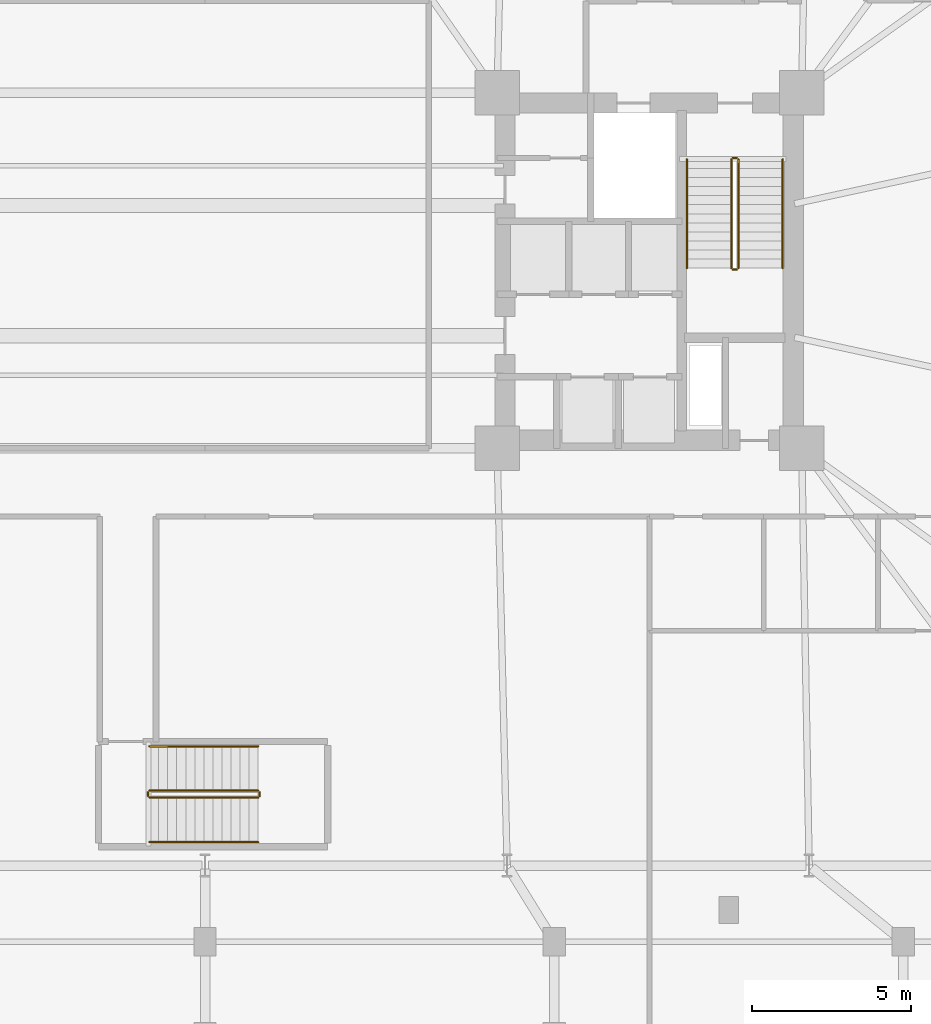
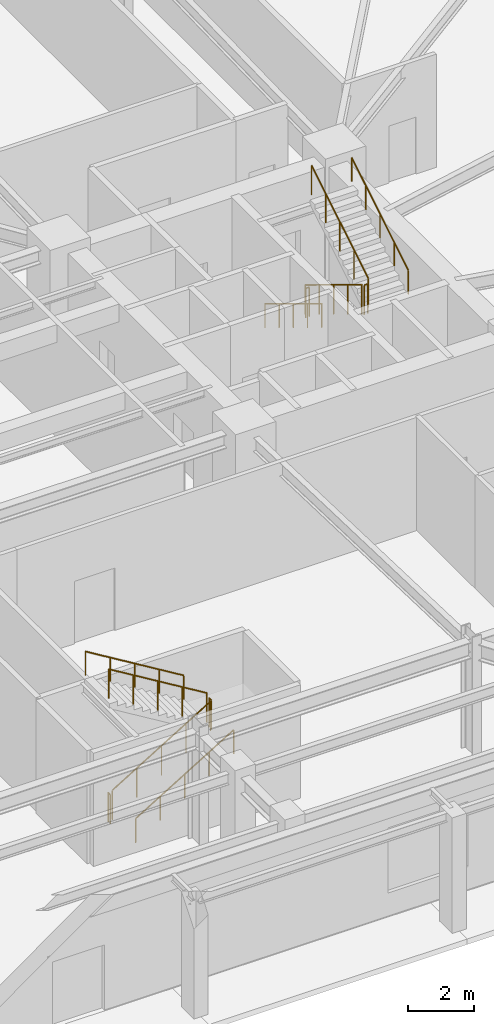
# One storey, part 16 of 18: 12 railings.
"""IFC4 building model written with IfcOpenShell, lengths in metres."""

from ifc_helpers import new_model, si_unit, direction, frame, origin, origin_2d, place, context, subcontext, project, spatial, circle, extrude, material, type_object, element, save


model = new_model("IFC4")

# Units and contexts
model_context = context("Model", 3, precision=1e-05, world=origin(), true_north=direction((0.0, 1.0)))
body_context = subcontext(model_context, "Body", "Model", "MODEL_VIEW")
ifc_project = project(units=[si_unit("LENGTHUNIT", "METRE"), si_unit("AREAUNIT", "SQUARE_METRE"), si_unit("VOLUMEUNIT", "CUBIC_METRE"), si_unit("PLANEANGLEUNIT", "RADIAN"), si_unit("MASSUNIT", "GRAM", prefix="KILO")], contexts=[model_context])

# Site, building, storey
site_placement = place(None, origin())
site = spatial("IfcSite", under=ifc_project, at=site_placement, CompositionType="ELEMENT")
building_placement = place(site_placement, origin())
building = spatial("IfcBuilding", under=site, at=building_placement, Name="Qobustan Lattice House", CompositionType="ELEMENT")
storey_placement = place(building_placement, origin())
storey = spatial("IfcBuildingStorey", under=building, at=storey_placement, Name="L00", CompositionType="ELEMENT", Elevation=0.0)

# Railings
ifc_material_1 = material(Name="Brushed stainless steel handrail", Category="steel")
railing_type_1 = type_object("IfcRailingType", Name="RAL-HR-920", PredefinedType="HANDRAIL", material=ifc_material_1)
railing_1_placement = place(storey_placement, frame((15.179931640625, 3.5, 0.173095703125)))
element("IfcRailing", 1, at=railing_1_placement, inside=storey, type_object=railing_type_1, Name="L00 ST-E1 stair handrail 1", PredefinedType="HANDRAIL", context=body_context, shape_type="SweptSolid", body=[
    extrude(circle(Radius=0.02392578125, at=origin_2d()), frame((0.0, 0.0, 0.8759765625), z_axis=(0.0, -0.854729506542, 0.519073665916), x_axis=(1.0, 0.0, 0.0)), (0.0, 0.0, 1.0), 4.001220703125),
    extrude(circle(Radius=0.02099609375, at=origin_2d()), origin(), (0.0, 0.0, 1.0), 0.851806640625),
    extrude(circle(Radius=0.02099609375, at=origin_2d()), frame((0.0, -0.85498046875, 0.519287109375)), (0.0, 0.0, 1.0), 0.851806640625),
    extrude(circle(Radius=0.02099609375, at=origin_2d()), frame((0.0, -1.7099609375, 1.03857421875)), (0.0, 0.0, 1.0), 0.851806640625),
    extrude(circle(Radius=0.02099609375, at=origin_2d()), frame((0.0, -2.56494140625, 1.5576171875)), (0.0, 0.0, 1.0), 0.851806640625),
    extrude(circle(Radius=0.02099609375, at=origin_2d()), frame((0.0, -3.419921875, 2.076904296875)), (0.0, 0.0, 1.0), 0.851806640625),
])
railing_2_placement = place(storey_placement, frame((18.199951171875, 0.080078125, 2.423095703125)))
element("IfcRailing", 2, at=railing_2_placement, inside=storey, type_object=railing_type_1, Name="L00 ST-E1 stair handrail 2", PredefinedType="HANDRAIL", context=body_context, shape_type="SweptSolid", body=[
    extrude(circle(Radius=0.02392578125, at=origin_2d()), frame((0.0, 0.0, 0.8759765625), z_axis=(0.0, 0.854729506542, 0.519073665916), x_axis=(-1.0, 0.0, 0.0)), (0.0, 0.0, 1.0), 4.001220703125),
    extrude(circle(Radius=0.02099609375, at=origin_2d()), origin(), (0.0, 0.0, 1.0), 0.851806640625),
    extrude(circle(Radius=0.02099609375, at=origin_2d()), frame((0.0, 0.85498046875, 0.519287109375)), (0.0, 0.0, 1.0), 0.851806640625),
    extrude(circle(Radius=0.02099609375, at=origin_2d()), frame((0.0, 1.7099609375, 1.03857421875)), (0.0, 0.0, 1.0), 0.851806640625),
    extrude(circle(Radius=0.02099609375, at=origin_2d()), frame((0.0, 2.56494140625, 1.5576171875)), (0.0, 0.0, 1.0), 0.851806640625),
    extrude(circle(Radius=0.02099609375, at=origin_2d()), frame((0.0, 3.419921875, 2.076904296875)), (0.0, 0.0, 1.0), 0.851806640625),
])
railing_3_placement = place(storey_placement, frame((-1.75, -18.010009765625, 0.173095703125)))
element("IfcRailing", 3, at=railing_3_placement, inside=storey, type_object=railing_type_1, Name="L00 ST-P1 stair handrail 1", PredefinedType="HANDRAIL", context=body_context, shape_type="SweptSolid", body=[
    extrude(circle(Radius=0.02392578125, at=origin_2d()), frame((0.0, 0.0, 0.8759765625), z_axis=(0.854729506542, 0.0, 0.519073665916), x_axis=(0.0, 1.0, 0.0)), (0.0, 0.0, 1.0), 4.001220703125),
    extrude(circle(Radius=0.02099609375, at=origin_2d()), origin(), (0.0, 0.0, 1.0), 0.851806640625),
    extrude(circle(Radius=0.02099609375, at=origin_2d()), frame((0.85498046875, 0.0, 0.519287109375)), (0.0, 0.0, 1.0), 0.851806640625),
    extrude(circle(Radius=0.02099609375, at=origin_2d()), frame((1.7099609375, 0.0, 1.03857421875)), (0.0, 0.0, 1.0), 0.851806640625),
    extrude(circle(Radius=0.02099609375, at=origin_2d()), frame((2.56494140625, 0.0, 1.5576171875)), (0.0, 0.0, 1.0), 0.851806640625),
    extrude(circle(Radius=0.02099609375, at=origin_2d()), frame((3.419921875, 0.0, 2.076904296875)), (0.0, 0.0, 1.0), 0.851806640625),
])
railing_4_placement = place(storey_placement, frame((1.669921875, -14.989990234375, 2.423095703125)))
element("IfcRailing", 4, at=railing_4_placement, inside=storey, type_object=railing_type_1, Name="L00 ST-P1 stair handrail 2", PredefinedType="HANDRAIL", context=body_context, shape_type="SweptSolid", body=[
    extrude(circle(Radius=0.02392578125, at=origin_2d()), frame((0.0, 0.0, 0.8759765625), z_axis=(-0.854729506542, 0.0, 0.519073665916), x_axis=(0.0, -1.0, 0.0)), (0.0, 0.0, 1.0), 4.001220703125),
    extrude(circle(Radius=0.02099609375, at=origin_2d()), origin(), (0.0, 0.0, 1.0), 0.851806640625),
    extrude(circle(Radius=0.02099609375, at=origin_2d()), frame((-0.85498046875, 0.0, 0.519287109375)), (0.0, 0.0, 1.0), 0.851806640625),
    extrude(circle(Radius=0.02099609375, at=origin_2d()), frame((-1.7099609375, 0.0, 1.03857421875)), (0.0, 0.0, 1.0), 0.851806640625),
    extrude(circle(Radius=0.02099609375, at=origin_2d()), frame((-2.56494140625, 0.0, 1.5576171875)), (0.0, 0.0, 1.0), 0.851806640625),
    extrude(circle(Radius=0.02099609375, at=origin_2d()), frame((-3.419921875, 0.0, 2.076904296875)), (0.0, 0.0, 1.0), 0.851806640625),
])
ifc_material_2 = material(Name="Painted galvanized steel guardrail", Category="steel")
railing_type_2 = type_object("IfcRailingType", Name="RAL-STG-1150", PredefinedType="GUARDRAIL", material=ifc_material_2)
railing_5_placement = place(storey_placement, frame((16.580078125, 3.5, 0.173095703125)))
element("IfcRailing", 5, at=railing_5_placement, inside=storey, type_object=railing_type_2, Name="L00 ST-E1 stair guard 1", PredefinedType="GUARDRAIL", context=body_context, shape_type="SweptSolid", body=[
    extrude(circle(Radius=0.02392578125, at=origin_2d()), frame((0.0, 0.0, 1.076171875), z_axis=(0.0, -0.854729506542, 0.519073665916), x_axis=(1.0, 0.0, 0.0)), (0.0, 0.0, 1.0), 4.001220703125),
    extrude(circle(Radius=0.02099609375, at=origin_2d()), origin(), (0.0, 0.0, 1.0), 1.052001953125),
    extrude(circle(Radius=0.02099609375, at=origin_2d()), frame((0.0, -0.85498046875, 0.519287109375)), (0.0, 0.0, 1.0), 1.052001953125),
    extrude(circle(Radius=0.02099609375, at=origin_2d()), frame((0.0, -1.7099609375, 1.03857421875)), (0.0, 0.0, 1.0), 1.052001953125),
    extrude(circle(Radius=0.02099609375, at=origin_2d()), frame((0.0, -2.56494140625, 1.5576171875)), (0.0, 0.0, 1.0), 1.052001953125),
    extrude(circle(Radius=0.02099609375, at=origin_2d()), frame((0.0, -3.419921875, 2.076904296875)), (0.0, 0.0, 1.0), 1.052001953125),
])
railing_6_placement = place(storey_placement, frame((16.6298828125, 0.030029296875, 2.25)))
element("IfcRailing", 6, at=railing_6_placement, inside=storey, type_object=railing_type_2, Name="L00 ST-E1 stair guard 2", PredefinedType="GUARDRAIL", context=body_context, shape_type="SweptSolid", body=[
    extrude(circle(Radius=0.02392578125, at=origin_2d()), frame((0.0, 0.0, 1.076171875), z_axis=(1.0, 0.0, 0.0), x_axis=(0.0, 1.0, 0.0)), (0.0, 0.0, 1.0), 0.1201171875),
    extrude(circle(Radius=0.02099609375, at=origin_2d()), origin(), (0.0, 0.0, 1.0), 1.052001953125),
    extrude(circle(Radius=0.02099609375, at=origin_2d()), frame((0.1201171875, 0.0, 0.0)), (0.0, 0.0, 1.0), 1.052001953125),
])
railing_7_placement = place(storey_placement, frame((16.800048828125, 0.080078125, 2.423095703125)))
element("IfcRailing", 7, at=railing_7_placement, inside=storey, type_object=railing_type_2, Name="L00 ST-E1 stair guard 3", PredefinedType="GUARDRAIL", context=body_context, shape_type="SweptSolid", body=[
    extrude(circle(Radius=0.02392578125, at=origin_2d()), frame((0.0, 0.0, 1.076171875), z_axis=(0.0, 0.854729506542, 0.519073665916), x_axis=(-1.0, 0.0, 0.0)), (0.0, 0.0, 1.0), 4.001220703125),
    extrude(circle(Radius=0.02099609375, at=origin_2d()), origin(), (0.0, 0.0, 1.0), 1.052001953125),
    extrude(circle(Radius=0.02099609375, at=origin_2d()), frame((0.0, 0.85498046875, 0.519287109375)), (0.0, 0.0, 1.0), 1.052001953125),
    extrude(circle(Radius=0.02099609375, at=origin_2d()), frame((0.0, 1.7099609375, 1.03857421875)), (0.0, 0.0, 1.0), 1.052001953125),
    extrude(circle(Radius=0.02099609375, at=origin_2d()), frame((0.0, 2.56494140625, 1.5576171875)), (0.0, 0.0, 1.0), 1.052001953125),
    extrude(circle(Radius=0.02099609375, at=origin_2d()), frame((0.0, 3.419921875, 2.076904296875)), (0.0, 0.0, 1.0), 1.052001953125),
])
railing_8_placement = place(storey_placement, frame((16.6298828125, 3.550048828125, 0.0)))
element("IfcRailing", 8, at=railing_8_placement, inside=storey, type_object=railing_type_2, Name="L00 ST-E1 stair guard 4", PredefinedType="GUARDRAIL", context=body_context, shape_type="SweptSolid", body=[
    extrude(circle(Radius=0.02392578125, at=origin_2d()), frame((0.0, 0.0, 1.076171875), z_axis=(1.0, 0.0, 0.0), x_axis=(0.0, 1.0, 0.0)), (0.0, 0.0, 1.0), 0.1201171875),
    extrude(circle(Radius=0.02099609375, at=origin_2d()), origin(), (0.0, 0.0, 1.0), 1.052001953125),
    extrude(circle(Radius=0.02099609375, at=origin_2d()), frame((0.1201171875, 0.0, 0.0)), (0.0, 0.0, 1.0), 1.052001953125),
])
railing_9_placement = place(storey_placement, frame((-1.75, -16.610107421875, 0.173095703125)))
element("IfcRailing", 9, at=railing_9_placement, inside=storey, type_object=railing_type_2, Name="L00 ST-P1 stair guard 1", PredefinedType="GUARDRAIL", context=body_context, shape_type="SweptSolid", body=[
    extrude(circle(Radius=0.02392578125, at=origin_2d()), frame((0.0, 0.0, 1.076171875), z_axis=(0.854729506542, 0.0, 0.519073665916), x_axis=(0.0, 1.0, 0.0)), (0.0, 0.0, 1.0), 4.001220703125),
    extrude(circle(Radius=0.02099609375, at=origin_2d()), origin(), (0.0, 0.0, 1.0), 1.052001953125),
    extrude(circle(Radius=0.02099609375, at=origin_2d()), frame((0.85498046875, 0.0, 0.519287109375)), (0.0, 0.0, 1.0), 1.052001953125),
    extrude(circle(Radius=0.02099609375, at=origin_2d()), frame((1.7099609375, 0.0, 1.03857421875)), (0.0, 0.0, 1.0), 1.052001953125),
    extrude(circle(Radius=0.02099609375, at=origin_2d()), frame((2.56494140625, 0.0, 1.5576171875)), (0.0, 0.0, 1.0), 1.052001953125),
    extrude(circle(Radius=0.02099609375, at=origin_2d()), frame((3.419921875, 0.0, 2.076904296875)), (0.0, 0.0, 1.0), 1.052001953125),
])
railing_10_placement = place(storey_placement, frame((1.719970703125, -16.56005859375, 2.25)))
element("IfcRailing", 10, at=railing_10_placement, inside=storey, type_object=railing_type_2, Name="L00 ST-P1 stair guard 2", PredefinedType="GUARDRAIL", context=body_context, shape_type="SweptSolid", body=[
    extrude(circle(Radius=0.02392578125, at=origin_2d()), frame((0.0, 0.0, 1.076171875), z_axis=(0.0, 1.0, 0.0), x_axis=(-1.0, 0.0, 0.0)), (0.0, 0.0, 1.0), 0.1201171875),
    extrude(circle(Radius=0.02099609375, at=origin_2d()), origin(), (0.0, 0.0, 1.0), 1.052001953125),
    extrude(circle(Radius=0.02099609375, at=origin_2d()), frame((0.0, 0.1201171875, 0.0)), (0.0, 0.0, 1.0), 1.052001953125),
])
railing_11_placement = place(storey_placement, frame((1.669921875, -16.389892578125, 2.423095703125)))
element("IfcRailing", 11, at=railing_11_placement, inside=storey, type_object=railing_type_2, Name="L00 ST-P1 stair guard 3", PredefinedType="GUARDRAIL", context=body_context, shape_type="SweptSolid", body=[
    extrude(circle(Radius=0.02392578125, at=origin_2d()), frame((0.0, 0.0, 1.076171875), z_axis=(-0.854729506542, 0.0, 0.519073665916), x_axis=(0.0, -1.0, 0.0)), (0.0, 0.0, 1.0), 4.001220703125),
    extrude(circle(Radius=0.02099609375, at=origin_2d()), origin(), (0.0, 0.0, 1.0), 1.052001953125),
    extrude(circle(Radius=0.02099609375, at=origin_2d()), frame((-0.85498046875, 0.0, 0.519287109375)), (0.0, 0.0, 1.0), 1.052001953125),
    extrude(circle(Radius=0.02099609375, at=origin_2d()), frame((-1.7099609375, 0.0, 1.03857421875)), (0.0, 0.0, 1.0), 1.052001953125),
    extrude(circle(Radius=0.02099609375, at=origin_2d()), frame((-2.56494140625, 0.0, 1.5576171875)), (0.0, 0.0, 1.0), 1.052001953125),
    extrude(circle(Radius=0.02099609375, at=origin_2d()), frame((-3.419921875, 0.0, 2.076904296875)), (0.0, 0.0, 1.0), 1.052001953125),
])
railing_12_placement = place(storey_placement, frame((-1.800048828125, -16.56005859375, 0.0)))
element("IfcRailing", 12, at=railing_12_placement, inside=storey, type_object=railing_type_2, Name="L00 ST-P1 stair guard 4", PredefinedType="GUARDRAIL", context=body_context, shape_type="SweptSolid", body=[
    extrude(circle(Radius=0.02392578125, at=origin_2d()), frame((0.0, 0.0, 1.076171875), z_axis=(0.0, 1.0, 0.0), x_axis=(-1.0, 0.0, 0.0)), (0.0, 0.0, 1.0), 0.1201171875),
    extrude(circle(Radius=0.02099609375, at=origin_2d()), origin(), (0.0, 0.0, 1.0), 1.052001953125),
    extrude(circle(Radius=0.02099609375, at=origin_2d()), frame((0.0, 0.1201171875, 0.0)), (0.0, 0.0, 1.0), 1.052001953125),
])

save(model, "model.ifc")
